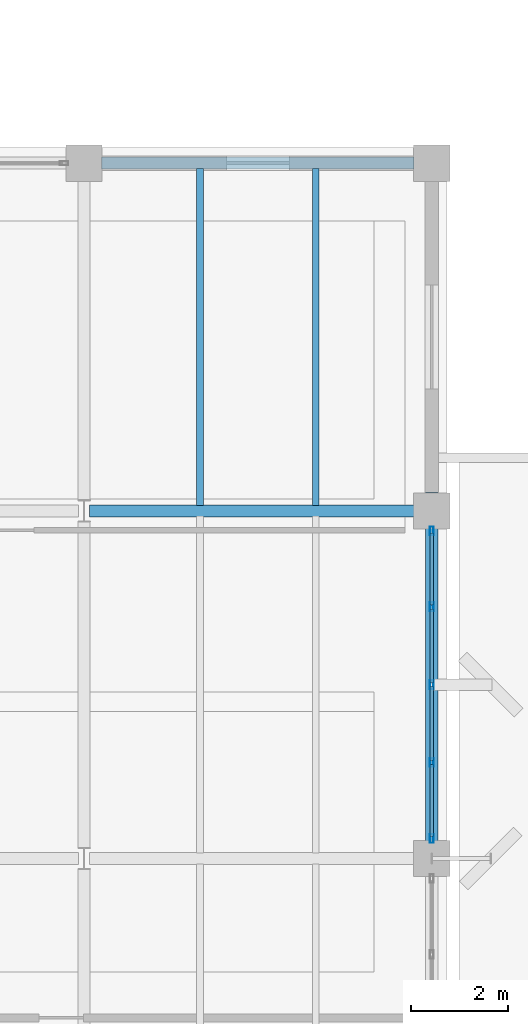
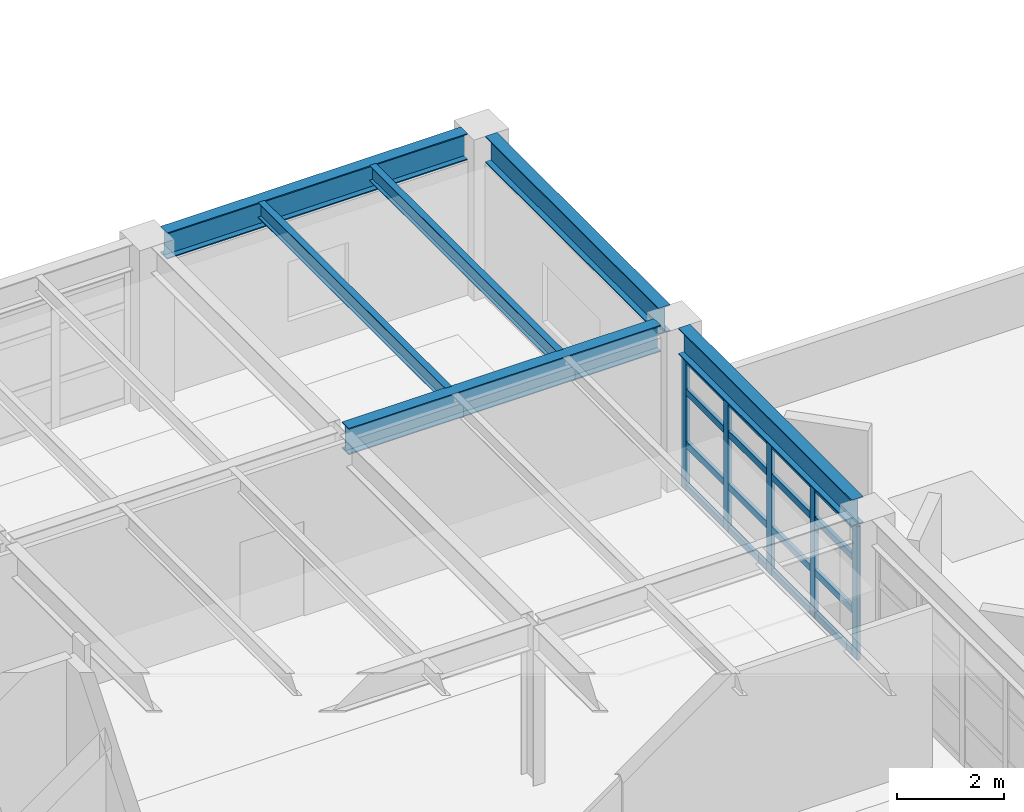
# One storey, part 14 of 32: 21 members, 6 beams, 1 element without a shape of its own.
"""IFC4 building model written with IfcOpenShell, lengths in metres."""

from ifc_helpers import new_model, si_unit, direction, frame, origin, origin_2d, place, context, subcontext, project, spatial, hollow_rectangle, i_section, extrude, material, layer, layer_set, material_profile, profile_set, type_object, element, aggregate, save


model = new_model("IFC4")

# Units and contexts
model_context = context("Model", 3, precision=1e-05, world=origin(), true_north=direction((0.0, 1.0)))
body_context = subcontext(model_context, "Body", "Model", "MODEL_VIEW")
ifc_project = project(units=[si_unit("LENGTHUNIT", "METRE"), si_unit("AREAUNIT", "SQUARE_METRE"), si_unit("VOLUMEUNIT", "CUBIC_METRE"), si_unit("PLANEANGLEUNIT", "RADIAN"), si_unit("MASSUNIT", "GRAM", prefix="KILO")], contexts=[model_context])

# Site, building, storey
site_placement = place(None, origin())
site = spatial("IfcSite", under=ifc_project, at=site_placement, CompositionType="ELEMENT")
building_placement = place(site_placement, origin())
building = spatial("IfcBuilding", under=site, at=building_placement, Name="Kandorven Conservatory and Botanical Research Centre", CompositionType="ELEMENT")
storey_placement = place(building_placement, frame((0.0, 0.0, 17.10009765625)))
storey = spatial("IfcBuildingStorey", under=building, at=storey_placement, Name="L04", CompositionType="ELEMENT", Elevation=17.10009765625)

# Beams
ifc_material_1 = material(Name="Steel S355 (IS 2062 E350)", Category="steel")
ifc_material_profile_1 = material_profile(ifc_material_1, i_section(OverallWidth=0.25, OverallDepth=0.60009765625, WebThickness=0.01171875, FlangeThickness=0.023681640625, at=origin_2d()))
ifc_profile_set_1 = profile_set([ifc_material_profile_1], Name="Steel S355 (IS 2062 E350)")
beam_type_1 = type_object("IfcBeamType", Name="Beam_FG-01", PredefinedType="USERDEFINED", material=ifc_profile_set_1)
beam_1_placement = place(storey_placement, frame((34.9150390625, 27.60009765625, 3.35986328125), z_axis=(1.0, 0.0, 0.0), x_axis=(0.0, 1.0, 0.0)))
element("IfcBeam", 1, at=beam_1_placement, inside=storey, type_object=beam_type_1, Name="Primary girder FG-01 TWR L04", ObjectType="GIRDER", PredefinedType="USERDEFINED", context=body_context, shape_type="SweptSolid", body=[
    extrude(i_section(OverallWidth=0.25, OverallDepth=0.60009765625, WebThickness=0.01171875, FlangeThickness=0.023681640625, at=origin_2d()), origin(), (0.0, 0.0, 1.0), 6.719970703125),
])
beam_2_placement = place(storey_placement, frame((35.1650390625, 34.800048828125, 3.35986328125), z_axis=(1.0, 0.0, 0.0), x_axis=(0.0, 1.0, 0.0)))
element("IfcBeam", 2, at=beam_2_placement, inside=storey, type_object=beam_type_1, Name="Primary girder FG-01 TWR L04", ObjectType="GIRDER", PredefinedType="USERDEFINED", context=body_context, shape_type="SweptSolid", body=[
    extrude(i_section(OverallWidth=0.25, OverallDepth=0.60009765625, WebThickness=0.01171875, FlangeThickness=0.023681640625, at=origin_2d()), origin(), (0.0, 0.0, 1.0), 6.469970703125),
])
beam_3_placement = place(storey_placement, frame((42.0, 20.764892578125, 3.35986328125), z_axis=(0.0, 1.0, 0.0), x_axis=(-1.0, 0.0, 0.0)))
element("IfcBeam", 3, at=beam_3_placement, inside=storey, type_object=beam_type_1, Name="Primary girder FG-01 TWR L04", ObjectType="GIRDER", PredefinedType="USERDEFINED", context=body_context, shape_type="SweptSolid", body=[
    extrude(i_section(OverallWidth=0.25, OverallDepth=0.60009765625, WebThickness=0.01171875, FlangeThickness=0.023681640625, at=origin_2d()), origin(), (0.0, 0.0, 1.0), 6.47021484375),
])
beam_4_placement = place(storey_placement, frame((42.0, 27.965087890625, 3.35986328125), z_axis=(0.0, 1.0, 0.0), x_axis=(-1.0, 0.0, 0.0)))
element("IfcBeam", 4, at=beam_4_placement, inside=storey, type_object=beam_type_1, Name="Primary girder FG-01 TWR L04", ObjectType="GIRDER", PredefinedType="USERDEFINED", context=body_context, shape_type="SweptSolid", body=[
    extrude(i_section(OverallWidth=0.25, OverallDepth=0.60009765625, WebThickness=0.01171875, FlangeThickness=0.023681640625, at=origin_2d()), origin(), (0.0, 0.0, 1.0), 6.469970703125),
])
ifc_material_2 = material(Name="Steel S355 (IS 2062 E350)", Category="steel")
ifc_material_profile_2 = material_profile(ifc_material_2, i_section(OverallWidth=0.139892578125, OverallDepth=0.35009765625, WebThickness=0.008056640625, FlangeThickness=0.01416015625, at=origin_2d()))
ifc_profile_set_2 = profile_set([ifc_material_profile_2], Name="Steel S355 (IS 2062 E350)")
beam_type_2 = type_object("IfcBeamType", Name="Beam_SB-06", PredefinedType="BEAM", material=ifc_profile_set_2)
for number, where, z_axis, x_axis, name in (
    (5, (37.199951171875, 27.7099609375, 3.48486328125), (0.0, 1.0, 0.0), (-1.0, 0.0, 0.0), "Composite secondary beam SB-06 TWR L04"),
    (6, (39.60009765625, 27.7099609375, 3.48486328125), (0.0, 1.0, 0.0), (-1.0, 0.0, 0.0), "Composite secondary beam SB-06 TWR L04"),
):
    element("IfcBeam", number, at=place(storey_placement, frame(where, z_axis=z_axis, x_axis=x_axis)), inside=storey, type_object=beam_type_2, Name=name, PredefinedType="BEAM", context=body_context, shape_type="SweptSolid", body=[
        extrude(i_section(OverallWidth=0.139892578125, OverallDepth=0.35009765625, WebThickness=0.008056640625, FlangeThickness=0.01416015625, at=origin_2d()), origin(), (0.0, 0.0, 1.0), 6.97998046875),
    ])

# Curtain wall, members
ifc_material_3 = material(Name="Bronze anodised thermally broken aluminium", Category="aluminium")
ifc_layer = layer(ifc_material_3, 0.179931640625)
ifc_layer_set = layer_set([ifc_layer], Name="Bronze anodised thermally broken aluminium")
curtain_wall_type = type_object("IfcCurtainWallType", Name="CW_Unitised", PredefinedType="USERDEFINED", material=ifc_layer_set)
curtain_wall_placement = place(storey_placement, origin())
curtain_wall = element("IfcCurtainWall", 7, at=curtain_wall_placement, inside=storey, type_object=curtain_wall_type, Name="Tower laboratory curtain wall CW-TWR-E-L04-3", ObjectType="UNITISED GLAZING", PredefinedType="USERDEFINED")
ifc_material_4 = material(Name="Bronze anodised thermally broken aluminium", Category="aluminium")
ifc_material_profile_3 = material_profile(ifc_material_4, hollow_rectangle(XDim=0.080078125, YDim=0.179931640625, WallThickness=0.006103515625, at=origin_2d()))
ifc_profile_set_3 = profile_set([ifc_material_profile_3], Name="Bronze anodised thermally broken aluminium")
member_type_1 = type_object("IfcMemberType", Name="CW_Mullion", PredefinedType="MULLION", material=ifc_profile_set_3)
member_1_placement = place(storey_placement, frame((42.0, 20.81494140625, 0.0), z_axis=(0.0, 0.0, 1.0), x_axis=(-1.0, 0.0, 0.0)))
member_1 = element("IfcMember", 8, at=member_1_placement, type_object=member_type_1, Name="CW-01 mullion 1", PredefinedType="MULLION", context=body_context, shape_type="SweptSolid", body=[
    extrude(hollow_rectangle(XDim=0.080078125, YDim=0.179931640625, WallThickness=0.006103515625, at=origin_2d()), origin(), (0.0, 0.0, 1.0), 3.039794921875),
])
member_2_placement = place(storey_placement, frame((42.0, 22.387451171875, 0.0), z_axis=(0.0, 0.0, 1.0), x_axis=(-1.0, 0.0, 0.0)))
member_2 = element("IfcMember", 9, at=member_2_placement, type_object=member_type_1, Name="CW-01 mullion 2", PredefinedType="MULLION", context=body_context, shape_type="SweptSolid", body=[
    extrude(hollow_rectangle(XDim=0.080078125, YDim=0.179931640625, WallThickness=0.006103515625, at=origin_2d()), origin(), (0.0, 0.0, 1.0), 3.039794921875),
])
member_3_placement = place(storey_placement, frame((42.0, 24.0, 0.0), z_axis=(0.0, 0.0, 1.0), x_axis=(-1.0, 0.0, 0.0)))
member_3 = element("IfcMember", 10, at=member_3_placement, type_object=member_type_1, Name="CW-01 mullion 3", PredefinedType="MULLION", context=body_context, shape_type="SweptSolid", body=[
    extrude(hollow_rectangle(XDim=0.080078125, YDim=0.179931640625, WallThickness=0.006103515625, at=origin_2d()), origin(), (0.0, 0.0, 1.0), 3.039794921875),
])
member_4_placement = place(storey_placement, frame((42.0, 25.612548828125, 0.0), z_axis=(0.0, 0.0, 1.0), x_axis=(-1.0, 0.0, 0.0)))
member_4 = element("IfcMember", 11, at=member_4_placement, type_object=member_type_1, Name="CW-01 mullion 4", PredefinedType="MULLION", context=body_context, shape_type="SweptSolid", body=[
    extrude(hollow_rectangle(XDim=0.080078125, YDim=0.179931640625, WallThickness=0.006103515625, at=origin_2d()), origin(), (0.0, 0.0, 1.0), 3.039794921875),
])
member_5_placement = place(storey_placement, frame((42.0, 27.18505859375, 0.0), z_axis=(0.0, 0.0, 1.0), x_axis=(-1.0, 0.0, 0.0)))
member_5 = element("IfcMember", 12, at=member_5_placement, type_object=member_type_1, Name="CW-01 mullion 5", PredefinedType="MULLION", context=body_context, shape_type="SweptSolid", body=[
    extrude(hollow_rectangle(XDim=0.080078125, YDim=0.179931640625, WallThickness=0.006103515625, at=origin_2d()), origin(), (0.0, 0.0, 1.0), 3.039794921875),
])
ifc_material_5 = material(Name="Bronze anodised thermally broken aluminium", Category="aluminium")
ifc_material_profile_4 = material_profile(ifc_material_5, hollow_rectangle(XDim=0.074951171875, YDim=0.14990234375, WallThickness=0.006103515625, at=origin_2d()))
ifc_profile_set_4 = profile_set([ifc_material_profile_4], Name="Bronze anodised thermally broken aluminium")
member_type_2 = type_object("IfcMemberType", Name="CW_Transom", PredefinedType="USERDEFINED", material=ifc_profile_set_4)
member_6_placement = place(storey_placement, frame((42.0, 20.85498046875, 0.074951171875), z_axis=(0.0, 1.0, 0.0), x_axis=(-1.0, 0.0, 0.0)))
member_6 = element("IfcMember", 13, at=member_6_placement, type_object=member_type_2, Name="CW-01 transom 1.1", ObjectType="TRANSOM", PredefinedType="USERDEFINED", context=body_context, shape_type="SweptSolid", body=[
    extrude(hollow_rectangle(XDim=0.074951171875, YDim=0.14990234375, WallThickness=0.006103515625, at=origin_2d()), origin(), (0.0, 0.0, 1.0), 1.492431640625),
])
member_7_placement = place(storey_placement, frame((42.0, 20.85498046875, 1.0498046875), z_axis=(0.0, 1.0, 0.0), x_axis=(-1.0, 0.0, 0.0)))
member_7 = element("IfcMember", 14, at=member_7_placement, type_object=member_type_2, Name="CW-01 transom 1.2", ObjectType="TRANSOM", PredefinedType="USERDEFINED", context=body_context, shape_type="SweptSolid", body=[
    extrude(hollow_rectangle(XDim=0.074951171875, YDim=0.14990234375, WallThickness=0.006103515625, at=origin_2d()), origin(), (0.0, 0.0, 1.0), 1.492431640625),
])
member_8_placement = place(storey_placement, frame((42.0, 20.85498046875, 2.25), z_axis=(0.0, 1.0, 0.0), x_axis=(-1.0, 0.0, 0.0)))
member_8 = element("IfcMember", 15, at=member_8_placement, type_object=member_type_2, Name="CW-01 transom 1.3", ObjectType="TRANSOM", PredefinedType="USERDEFINED", context=body_context, shape_type="SweptSolid", body=[
    extrude(hollow_rectangle(XDim=0.074951171875, YDim=0.14990234375, WallThickness=0.006103515625, at=origin_2d()), origin(), (0.0, 0.0, 1.0), 1.492431640625),
])
member_9_placement = place(storey_placement, frame((42.0, 20.85498046875, 2.96484375), z_axis=(0.0, 1.0, 0.0), x_axis=(-1.0, 0.0, 0.0)))
member_9 = element("IfcMember", 16, at=member_9_placement, type_object=member_type_2, Name="CW-01 transom 1.4", ObjectType="TRANSOM", PredefinedType="USERDEFINED", context=body_context, shape_type="SweptSolid", body=[
    extrude(hollow_rectangle(XDim=0.074951171875, YDim=0.14990234375, WallThickness=0.006103515625, at=origin_2d()), origin(), (0.0, 0.0, 1.0), 1.492431640625),
])
member_10_placement = place(storey_placement, frame((42.0, 22.427490234375, 0.074951171875), z_axis=(0.0, 1.0, 0.0), x_axis=(-1.0, 0.0, 0.0)))
member_10 = element("IfcMember", 17, at=member_10_placement, type_object=member_type_2, Name="CW-01 transom 2.1", ObjectType="TRANSOM", PredefinedType="USERDEFINED", context=body_context, shape_type="SweptSolid", body=[
    extrude(hollow_rectangle(XDim=0.074951171875, YDim=0.14990234375, WallThickness=0.006103515625, at=origin_2d()), origin(), (0.0, 0.0, 1.0), 1.532470703125),
])
member_11_placement = place(storey_placement, frame((42.0, 22.427490234375, 1.0498046875), z_axis=(0.0, 1.0, 0.0), x_axis=(-1.0, 0.0, 0.0)))
member_11 = element("IfcMember", 18, at=member_11_placement, type_object=member_type_2, Name="CW-01 transom 2.2", ObjectType="TRANSOM", PredefinedType="USERDEFINED", context=body_context, shape_type="SweptSolid", body=[
    extrude(hollow_rectangle(XDim=0.074951171875, YDim=0.14990234375, WallThickness=0.006103515625, at=origin_2d()), origin(), (0.0, 0.0, 1.0), 1.532470703125),
])
member_12_placement = place(storey_placement, frame((42.0, 22.427490234375, 2.25), z_axis=(0.0, 1.0, 0.0), x_axis=(-1.0, 0.0, 0.0)))
member_12 = element("IfcMember", 19, at=member_12_placement, type_object=member_type_2, Name="CW-01 transom 2.3", ObjectType="TRANSOM", PredefinedType="USERDEFINED", context=body_context, shape_type="SweptSolid", body=[
    extrude(hollow_rectangle(XDim=0.074951171875, YDim=0.14990234375, WallThickness=0.006103515625, at=origin_2d()), origin(), (0.0, 0.0, 1.0), 1.532470703125),
])
member_13_placement = place(storey_placement, frame((42.0, 22.427490234375, 2.96484375), z_axis=(0.0, 1.0, 0.0), x_axis=(-1.0, 0.0, 0.0)))
member_13 = element("IfcMember", 20, at=member_13_placement, type_object=member_type_2, Name="CW-01 transom 2.4", ObjectType="TRANSOM", PredefinedType="USERDEFINED", context=body_context, shape_type="SweptSolid", body=[
    extrude(hollow_rectangle(XDim=0.074951171875, YDim=0.14990234375, WallThickness=0.006103515625, at=origin_2d()), origin(), (0.0, 0.0, 1.0), 1.532470703125),
])
member_14_placement = place(storey_placement, frame((42.0, 24.0400390625, 0.074951171875), z_axis=(0.0, 1.0, 0.0), x_axis=(-1.0, 0.0, 0.0)))
member_14 = element("IfcMember", 21, at=member_14_placement, type_object=member_type_2, Name="CW-01 transom 3.1", ObjectType="TRANSOM", PredefinedType="USERDEFINED", context=body_context, shape_type="SweptSolid", body=[
    extrude(hollow_rectangle(XDim=0.074951171875, YDim=0.14990234375, WallThickness=0.006103515625, at=origin_2d()), origin(), (0.0, 0.0, 1.0), 1.532470703125),
])
member_15_placement = place(storey_placement, frame((42.0, 24.0400390625, 1.0498046875), z_axis=(0.0, 1.0, 0.0), x_axis=(-1.0, 0.0, 0.0)))
member_15 = element("IfcMember", 22, at=member_15_placement, type_object=member_type_2, Name="CW-01 transom 3.2", ObjectType="TRANSOM", PredefinedType="USERDEFINED", context=body_context, shape_type="SweptSolid", body=[
    extrude(hollow_rectangle(XDim=0.074951171875, YDim=0.14990234375, WallThickness=0.006103515625, at=origin_2d()), origin(), (0.0, 0.0, 1.0), 1.532470703125),
])
member_16_placement = place(storey_placement, frame((42.0, 24.0400390625, 2.25), z_axis=(0.0, 1.0, 0.0), x_axis=(-1.0, 0.0, 0.0)))
member_16 = element("IfcMember", 23, at=member_16_placement, type_object=member_type_2, Name="CW-01 transom 3.3", ObjectType="TRANSOM", PredefinedType="USERDEFINED", context=body_context, shape_type="SweptSolid", body=[
    extrude(hollow_rectangle(XDim=0.074951171875, YDim=0.14990234375, WallThickness=0.006103515625, at=origin_2d()), origin(), (0.0, 0.0, 1.0), 1.532470703125),
])
member_17_placement = place(storey_placement, frame((42.0, 24.0400390625, 2.96484375), z_axis=(0.0, 1.0, 0.0), x_axis=(-1.0, 0.0, 0.0)))
member_17 = element("IfcMember", 24, at=member_17_placement, type_object=member_type_2, Name="CW-01 transom 3.4", ObjectType="TRANSOM", PredefinedType="USERDEFINED", context=body_context, shape_type="SweptSolid", body=[
    extrude(hollow_rectangle(XDim=0.074951171875, YDim=0.14990234375, WallThickness=0.006103515625, at=origin_2d()), origin(), (0.0, 0.0, 1.0), 1.532470703125),
])
member_18_placement = place(storey_placement, frame((42.0, 25.652587890625, 0.074951171875), z_axis=(0.0, 1.0, 0.0), x_axis=(-1.0, 0.0, 0.0)))
member_18 = element("IfcMember", 25, at=member_18_placement, type_object=member_type_2, Name="CW-01 transom 4.1", ObjectType="TRANSOM", PredefinedType="USERDEFINED", context=body_context, shape_type="SweptSolid", body=[
    extrude(hollow_rectangle(XDim=0.074951171875, YDim=0.14990234375, WallThickness=0.006103515625, at=origin_2d()), origin(), (0.0, 0.0, 1.0), 1.492431640625),
])
member_19_placement = place(storey_placement, frame((42.0, 25.652587890625, 1.0498046875), z_axis=(0.0, 1.0, 0.0), x_axis=(-1.0, 0.0, 0.0)))
member_19 = element("IfcMember", 26, at=member_19_placement, type_object=member_type_2, Name="CW-01 transom 4.2", ObjectType="TRANSOM", PredefinedType="USERDEFINED", context=body_context, shape_type="SweptSolid", body=[
    extrude(hollow_rectangle(XDim=0.074951171875, YDim=0.14990234375, WallThickness=0.006103515625, at=origin_2d()), origin(), (0.0, 0.0, 1.0), 1.492431640625),
])
member_20_placement = place(storey_placement, frame((42.0, 25.652587890625, 2.25), z_axis=(0.0, 1.0, 0.0), x_axis=(-1.0, 0.0, 0.0)))
member_20 = element("IfcMember", 27, at=member_20_placement, type_object=member_type_2, Name="CW-01 transom 4.3", ObjectType="TRANSOM", PredefinedType="USERDEFINED", context=body_context, shape_type="SweptSolid", body=[
    extrude(hollow_rectangle(XDim=0.074951171875, YDim=0.14990234375, WallThickness=0.006103515625, at=origin_2d()), origin(), (0.0, 0.0, 1.0), 1.492431640625),
])
member_21_placement = place(storey_placement, frame((42.0, 25.652587890625, 2.96484375), z_axis=(0.0, 1.0, 0.0), x_axis=(-1.0, 0.0, 0.0)))
member_21 = element("IfcMember", 28, at=member_21_placement, type_object=member_type_2, Name="CW-01 transom 4.4", ObjectType="TRANSOM", PredefinedType="USERDEFINED", context=body_context, shape_type="SweptSolid", body=[
    extrude(hollow_rectangle(XDim=0.074951171875, YDim=0.14990234375, WallThickness=0.006103515625, at=origin_2d()), origin(), (0.0, 0.0, 1.0), 1.492431640625),
])
aggregate(curtain_wall, [member_1, member_2, member_3, member_4, member_5, member_6, member_7, member_8, member_9, member_10, member_11, member_12, member_13, member_14, member_15, member_16, member_17, member_18, member_19, member_20, member_21])

save(model, "model.ifc")
